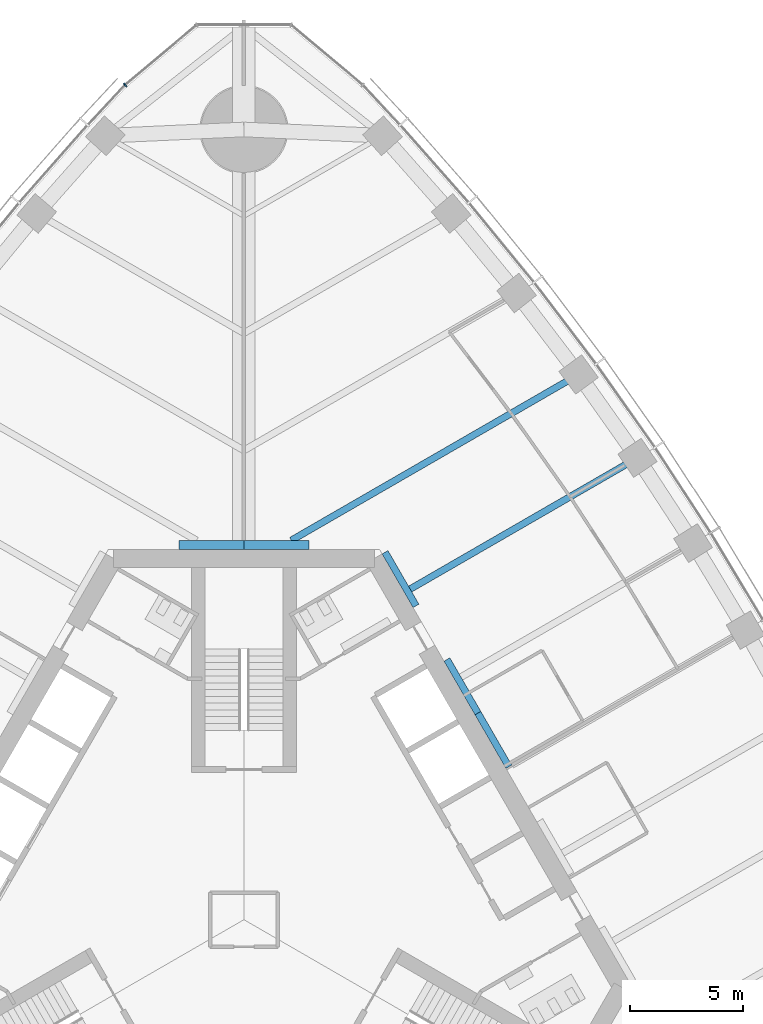
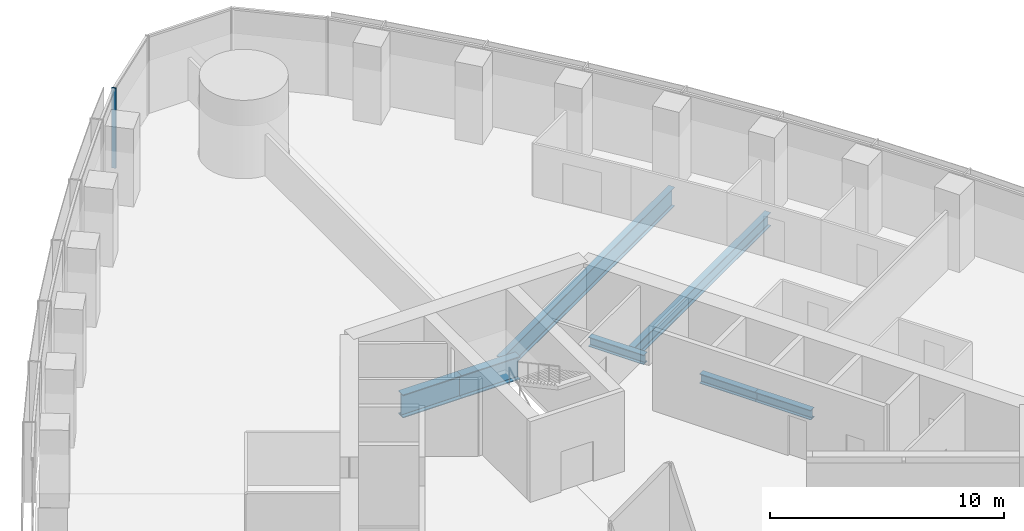
# One storey, part 5 of 19: 7 beams, 1 member, 1 element without a shape of its own.
"""IFC4 building model written with IfcOpenShell, lengths in metres."""

import ifcopenshell
import ifcopenshell.guid

model = None  # the IFC model being written
_history = None  # IfcOwnerHistory: only IFC2X3 demands one
_inside = {}  # id of a spatial element -> (the spatial element, [elements in it])
_under = {}  # id of a project, library or spatial element -> (it, [spatial elements below it])
_declared = {}  # id of a project -> (the project, [libraries it declares])
_typed = {}  # id of a type object -> (the type object, [elements of that type])
_made_of = {}  # id of a material, layer set ... -> (it, [elements and type objects made of it])


def new_model(schema):
    """Start an empty IFC model of exactly this schema.

    Asked for "IFC4X3", IfcOpenShell would pick the latest addendum, in which some entities
    have other attributes; the version numbers below select the first issue.
    IFC2X3 requires an IfcOwnerHistory on every rooted entity: one is made here for all.
    """
    global model, _history
    if schema == "IFC4X3":
        model = ifcopenshell.file(schema_version=(4, 3, 0, 0))
    else:
        model = ifcopenshell.file(schema=schema)
    _inside.clear()
    _under.clear()
    _declared.clear()
    _typed.clear()
    _made_of.clear()
    _history = None
    if model.schema == "IFC2X3":
        org = make("IfcOrganization", Name="unknown")
        user = make(
            "IfcPersonAndOrganization",
            ThePerson=make("IfcPerson", FamilyName="unknown"),
            TheOrganization=org,
        )
        app = make(
            "IfcApplication",
            ApplicationDeveloper=org,
            Version="unknown",
            ApplicationFullName="unknown",
            ApplicationIdentifier="unknown",
        )
        _history = make(
            "IfcOwnerHistory",
            OwningUser=user,
            OwningApplication=app,
            ChangeAction="ADDED",
            CreationDate=0,
        )
    return model


def make(cls, **values):
    """One entity of the class cls with the attributes given. An attribute that is None is left unset."""
    return model.create_entity(
        cls, **{name: value for name, value in values.items() if value is not None}
    )


def rooted(cls, **values):
    """An entity with a GlobalId (a new one), such as an element, a storey or a relation."""
    return make(cls, GlobalId=ifcopenshell.guid.new(), OwnerHistory=_history, **values)


def si_unit(unit_type, name, prefix=None):
    """IfcSIUnit, for example si_unit("LENGTHUNIT", "METRE", prefix="MILLI")."""
    return make("IfcSIUnit", UnitType=unit_type, Prefix=prefix, Name=name)


def assignment(units):
    """IfcUnitAssignment: the units of a project."""
    return None if units is None else make("IfcUnitAssignment", Units=units)


def point(xyz):
    """IfcCartesianPoint."""
    return None if xyz is None else make("IfcCartesianPoint", Coordinates=xyz)


def direction(xyz):
    """IfcDirection."""
    return None if xyz is None else make("IfcDirection", DirectionRatios=xyz)


def frame(location, z_axis=None, x_axis=None):
    """IfcAxis2Placement3D, a coordinate frame: its origin and axes. An axis left out is left unset."""
    return make(
        "IfcAxis2Placement3D",
        Location=point(location),
        Axis=direction(z_axis),
        RefDirection=direction(x_axis),
    )


def frame_2d(location, x_axis=None):
    """IfcAxis2Placement2D, a coordinate frame in the plane: its origin and x axis."""
    return make(
        "IfcAxis2Placement2D", Location=point(location), RefDirection=direction(x_axis)
    )


def origin():
    """The frame at (0, 0, 0) with its axes left unset."""
    return frame((0.0, 0.0, 0.0))


def origin_2d():
    """The frame at (0, 0) in the plane with its x axis left unset."""
    return frame_2d((0.0, 0.0))


def place(relative_to, where):
    """IfcLocalPlacement: puts the frame where relative to a parent placement (None: the world)."""
    return make(
        "IfcLocalPlacement", PlacementRelTo=relative_to, RelativePlacement=where
    )


def context(
    kind, dimensions, precision=None, world=None, true_north=None, identifier=None
):
    """IfcGeometricRepresentationContext, for example the 3D "Model" context."""
    return make(
        "IfcGeometricRepresentationContext",
        ContextIdentifier=identifier,
        ContextType=kind,
        CoordinateSpaceDimension=dimensions,
        Precision=precision,
        WorldCoordinateSystem=world,
        TrueNorth=true_north,
    )


def subcontext(parent, identifier, kind, view, scale=None):
    """IfcGeometricRepresentationSubContext, for example "Body" below "Model"."""
    return make(
        "IfcGeometricRepresentationSubContext",
        ContextIdentifier=identifier,
        ContextType=kind,
        ParentContext=parent,
        TargetScale=scale,
        TargetView=view,
    )


def project(units=None, contexts=None):
    """IfcProject with its units and contexts."""
    return rooted(
        "IfcProject",
        Name="project",
        RepresentationContexts=contexts,
        UnitsInContext=assignment(units),
    )


def spatial(cls, under=None, at=None, **own):
    """A site, building, storey or space (cls), placed at a placement, below another one or the project."""
    s = rooted(cls, ObjectPlacement=at, **own)
    if under is not None:
        _under.setdefault(under.id(), (under, []))[1].append(s)
    return s


def profile(cls, at=None, kind="AREA", **sizes):
    """A parametric profile (cls). Its sizes go by their IFC names, for example OverallWidth=200.0."""
    return make(cls, ProfileType=kind, Position=at, **sizes)


def rectangle(**sizes):
    """IfcRectangleProfileDef."""
    return profile("IfcRectangleProfileDef", **sizes)


def i_section(**sizes):
    """IfcIShapeProfileDef."""
    return profile("IfcIShapeProfileDef", **sizes)


def extrude(swept, where, along, depth):
    """IfcExtrudedAreaSolid: the profile swept, set in the frame where, extruded along a direction by depth."""
    return make(
        "IfcExtrudedAreaSolid",
        SweptArea=swept,
        Position=where,
        ExtrudedDirection=direction(along),
        Depth=depth,
    )


def shape(context_of_items, identifier, shape_type, items):
    """IfcShapeRepresentation: the items that make up one representation, for example the "Body"."""
    return make(
        "IfcShapeRepresentation",
        ContextOfItems=context_of_items,
        RepresentationIdentifier=identifier,
        RepresentationType=shape_type,
        Items=items,
    )


def material(Name=None, Category=None):
    """IfcMaterial."""
    return make("IfcMaterial", Name=Name, Category=Category)


def material_profile(
    of_material, cross_section, Name=None, Category=None, Priority=None
):
    """IfcMaterialProfile: a cross section and its material."""
    return make(
        "IfcMaterialProfile",
        Name=Name,
        Material=of_material,
        Profile=cross_section,
        Priority=Priority,
        Category=Category,
    )


def profile_set(profiles, Name=None, composite=None):
    """IfcMaterialProfileSet."""
    return make(
        "IfcMaterialProfileSet",
        Name=Name,
        MaterialProfiles=profiles,
        CompositeProfile=composite,
    )


def made_of(thing, what):
    """Note that an element or type object is made of a material, layer set ...; save() writes the relation."""
    if what is not None:
        _made_of.setdefault(what.id(), (what, []))[1].append(thing)
    return thing


def type_object(cls, material=None, **own):
    """A type object (cls), such as IfcWallType, which elements share."""
    return made_of(rooted(cls, **own), material)


def element(
    cls,
    number,
    at=None,
    inside=None,
    cuts=None,
    type_object=None,
    material=None,
    context=None,
    identifier="Body",
    shape_type=None,
    held_by="IfcProductDefinitionShape",
    body=None,
    shapes=None,
    **own,
):
    """One element of the class cls, such as IfcWall. Its Tag is "e" and its number.

    at: its placement. inside: the storey or other place that contains it. cuts: it is an
    opening in that element (IfcRelVoidsElement). A single representation is given by context,
    identifier, shape_type and body (its items); several are given by shapes. held_by: the class
    of the entity that holds the representations. save() writes the other relations.
    """
    e = rooted(cls, Tag="e%d" % number, ObjectPlacement=at, **own)
    if body is not None:
        shapes = [shape(context, identifier, shape_type, body)]
    if shapes is not None:
        e.Representation = make(held_by, Representations=shapes)
    if inside is not None:
        _inside.setdefault(inside.id(), (inside, []))[1].append(e)
    if cuts is not None:
        rooted(
            "IfcRelVoidsElement", RelatingBuildingElement=cuts, RelatedOpeningElement=e
        )
    if type_object is not None:
        _typed.setdefault(type_object.id(), (type_object, []))[1].append(e)
    return made_of(e, material)


def aggregate(whole, parts):
    """IfcRelAggregates: a whole, such as a stair, and the parts it consists of."""
    return rooted("IfcRelAggregates", RelatingObject=whole, RelatedObjects=parts)


def save(model, path):
    """Write the relations noted so far, then the file.

    IfcRelAggregates (storeys below a building ...), IfcRelContainedInSpatialStructure (elements
    in a storey), IfcRelDefinesByType, IfcRelAssociatesMaterial and IfcRelDeclares: one each for
    every whole, place, type object, material and project.
    """
    for whole, parts in _under.values():
        aggregate(whole, parts)
    for where, things in _inside.values():
        rooted(
            "IfcRelContainedInSpatialStructure",
            RelatedElements=things,
            RelatingStructure=where,
        )
    for kind, things in _typed.values():
        rooted("IfcRelDefinesByType", RelatedObjects=things, RelatingType=kind)
    for what, things in _made_of.values():
        rooted("IfcRelAssociatesMaterial", RelatedObjects=things, RelatingMaterial=what)
    for by, libraries in _declared.values():
        rooted("IfcRelDeclares", RelatingContext=by, RelatedDefinitions=libraries)
    model.write(path)


model = new_model("IFC4")

# Units and contexts
model_context = context("Model", 3, precision=1e-05, world=origin(), true_north=direction((0.0, 1.0)))
body_context = subcontext(model_context, "Body", "Model", "MODEL_VIEW")
ifc_project = project(units=[si_unit("LENGTHUNIT", "METRE"), si_unit("AREAUNIT", "SQUARE_METRE"), si_unit("VOLUMEUNIT", "CUBIC_METRE"), si_unit("PLANEANGLEUNIT", "RADIAN"), si_unit("MASSUNIT", "GRAM", prefix="KILO")], contexts=[model_context])

# Site, building, storey
site_placement = place(None, origin())
site = spatial("IfcSite", under=ifc_project, at=site_placement, CompositionType="ELEMENT")
building_placement = place(site_placement, origin())
building = spatial("IfcBuilding", under=site, at=building_placement, Name="Trefoil Bronze Tower", CompositionType="ELEMENT")
storey_placement = place(building_placement, frame((0.0, 0.0, 140.89990234375)))
storey = spatial("IfcBuildingStorey", under=building, at=storey_placement, Name="L32", CompositionType="ELEMENT", Elevation=140.89990234375)

# Curtain wall, member
ifc_material_1 = material(Name="Tinted solar-control glass", Category="glass")
curtain_wall_type = type_object("IfcCurtainWallType", Name="Bronze rounded corner curtain wall", PredefinedType="USERDEFINED", material=ifc_material_1)
curtain_wall_placement = place(storey_placement, origin())
curtain_wall = element("IfcCurtainWall", 1, at=curtain_wall_placement, inside=storey, type_object=curtain_wall_type, Name="CW-B L32 K2", ObjectType="CURTAIN WALL", PredefinedType="USERDEFINED")
ifc_material_2 = material(Name="Bronze-finish aluminium", Category="aluminium")
ifc_material_profile_1 = material_profile(ifc_material_2, rectangle(XDim=0.199951171875, YDim=0.06005859375, at=origin_2d()), Name="CW-B mullion")
ifc_profile_set_1 = profile_set([ifc_material_profile_1], Name="Bronze-finish aluminium")
member_type = type_object("IfcMemberType", Name="Bronze rounded corner curtain wall mullion", PredefinedType="MULLION", material=ifc_profile_set_1)
member_placement = place(storey_placement, frame((-5.260498046875, 36.975830078125, 0.0), z_axis=(0.0, 0.0, 1.0), x_axis=(0.642787609687, -0.766044443119, 0.0)))
member = element("IfcMember", 2, at=member_placement, type_object=member_type, Name="CW-B L32 K2 mullion 4", PredefinedType="MULLION", context=body_context, shape_type="SweptSolid", body=[
    extrude(rectangle(XDim=0.199951171875, YDim=0.06005859375, at=origin_2d()), origin(), (0.0, 0.0, 1.0), 4.18017578125),
])
aggregate(curtain_wall, [member])

# Beams
ifc_material_3 = material(Name="Steel C355", Category="steel")
ifc_material_profile_2 = material_profile(ifc_material_3, i_section(OverallWidth=0.300048828125, OverallDepth=0.5, WebThickness=0.014404296875, FlangeThickness=0.028076171875, FilletRadius=0.027099609375, at=origin_2d()), Name="HEB 500")
ifc_profile_set_2 = profile_set([ifc_material_profile_2], Name="Steel C355")
beam_type_1 = type_object("IfcBeamType", Name="Core seat beam HEB 500", PredefinedType="BEAM", material=ifc_profile_set_2)
for number, where, z_axis, x_axis, name in (
    (3, (11.734619140625, 6.77490234375, -0.449951171875), (-0.499969057507, 0.866043267704, 0.0), (-0.866043267704, -0.499969057507, 0.0), "Core seat beam F2/+0 L32"),
    (4, (10.363525390625, 9.14990234375, -0.449951171875), (-0.500035825175, 0.866004719122, 0.0), (-0.866004719122, -0.500035825175, 0.0), "Core seat beam F2/+1 L32"),
    (5, (7.62109375, 13.89990234375, -0.449951171875), (-0.500035825175, 0.866004719122, 0.0), (-0.866004719122, -0.500035825175, 0.0), "Core seat beam F2/+2 L32"),
):
    element("IfcBeam", number, at=place(storey_placement, frame(where, z_axis=z_axis, x_axis=x_axis)), inside=storey, type_object=beam_type_1, Name=name, PredefinedType="BEAM", context=body_context, shape_type="SweptSolid", body=[
        extrude(i_section(OverallWidth=0.300048828125, OverallDepth=0.5, WebThickness=0.014404296875, FlangeThickness=0.028076171875, FilletRadius=0.027099609375, at=origin_2d()), origin(), (0.0, 0.0, 1.0), 2.742431640625),
    ])
ifc_material_4 = material(Name="Steel C355", Category="steel")
ifc_material_profile_3 = material_profile(ifc_material_4, i_section(OverallWidth=0.39990234375, OverallDepth=1.199951171875, WebThickness=0.02001953125, FlangeThickness=0.0400390625, FilletRadius=0.010009765625, at=origin_2d()), Name="WPG 1200")
ifc_profile_set_3 = profile_set([ifc_material_profile_3], Name="Steel C355")
beam_type_2 = type_object("IfcBeamType", Name="Core seat beam WPG 1200", PredefinedType="BEAM", material=ifc_profile_set_3)
for number, where, z_axis, x_axis, name in (
    (6, (2.88671875, 16.60009765625, -0.7998046875), (-1.0, 0.0, 0.0), (0.0, -1.0, 0.0), "Core seat beam F2/+3 L32"),
    (7, (0.0, 16.60009765625, -0.7998046875), (-1.0, 0.0, 0.0), (0.0, -1.0, 0.0), "Core seat beam F3/-3 L32"),
):
    element("IfcBeam", number, at=place(storey_placement, frame(where, z_axis=z_axis, x_axis=x_axis)), inside=storey, type_object=beam_type_2, Name=name, PredefinedType="BEAM", context=body_context, shape_type="SweptSolid", body=[
        extrude(i_section(OverallWidth=0.39990234375, OverallDepth=1.199951171875, WebThickness=0.02001953125, FlangeThickness=0.0400390625, FilletRadius=0.010009765625, at=origin_2d()), origin(), (0.0, 0.0, 1.0), 2.88671875),
    ])
ifc_material_5 = material(Name="Steel C355", Category="steel")
ifc_material_profile_4 = material_profile(ifc_material_5, i_section(OverallWidth=0.300048828125, OverallDepth=1.0, WebThickness=0.01904296875, FlangeThickness=0.035888671875, FilletRadius=0.030029296875, at=origin_2d()), Name="HEB 1000")
ifc_profile_set_4 = profile_set([ifc_material_profile_4], Name="Steel C355")
beam_type_3 = type_object("IfcBeamType", Name="Floor beam HEB 1000", PredefinedType="BEAM", material=ifc_profile_set_4)
beam_1_placement = place(storey_placement, frame((14.825439453125, 24.14794921875, -0.699951171875), z_axis=(-0.866027342682, -0.499996641717, 0.0), x_axis=(0.499996641717, -0.866027342682, 0.0)))
element("IfcBeam", 8, at=beam_1_placement, inside=storey, type_object=beam_type_3, Name="Floor beam F2/+3 L32", PredefinedType="BEAM", context=body_context, shape_type="SweptSolid", body=[
    extrude(i_section(OverallWidth=0.300048828125, OverallDepth=1.0, WebThickness=0.01904296875, FlangeThickness=0.035888671875, FilletRadius=0.030029296875, at=origin_2d()), origin(), (0.0, 0.0, 1.0), 14.69580078125),
])
ifc_material_6 = material(Name="Steel C355", Category="steel")
ifc_material_profile_5 = material_profile(ifc_material_6, i_section(OverallWidth=0.300048828125, OverallDepth=0.699951171875, WebThickness=0.01708984375, FlangeThickness=0.031982421875, FilletRadius=0.027099609375, at=origin_2d()), Name="HEB 700")
ifc_profile_set_5 = profile_set([ifc_material_profile_5], Name="Steel C355")
beam_type_4 = type_object("IfcBeamType", Name="Floor beam HEB 700", PredefinedType="BEAM", material=ifc_profile_set_5)
beam_2_placement = place(storey_placement, frame((17.43017578125, 20.45556640625, -0.5498046875), z_axis=(-0.866030626868, -0.499990953245, 0.0), x_axis=(0.499990953245, -0.866030626868, 0.0)))
element("IfcBeam", 9, at=beam_2_placement, inside=storey, type_object=beam_type_4, Name="Floor beam F2/+2 L32", PredefinedType="BEAM", context=body_context, shape_type="SweptSolid", body=[
    extrude(i_section(OverallWidth=0.300048828125, OverallDepth=0.699951171875, WebThickness=0.01708984375, FlangeThickness=0.031982421875, FilletRadius=0.027099609375, at=origin_2d()), origin(), (0.0, 0.0, 1.0), 11.622802734375),
])

save(model, "model.ifc")
